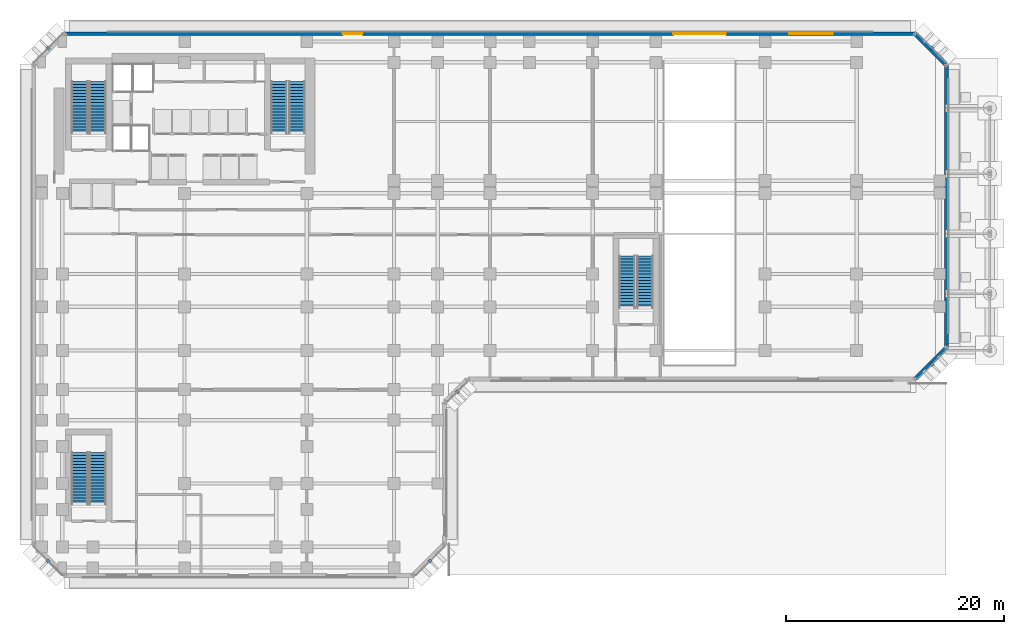
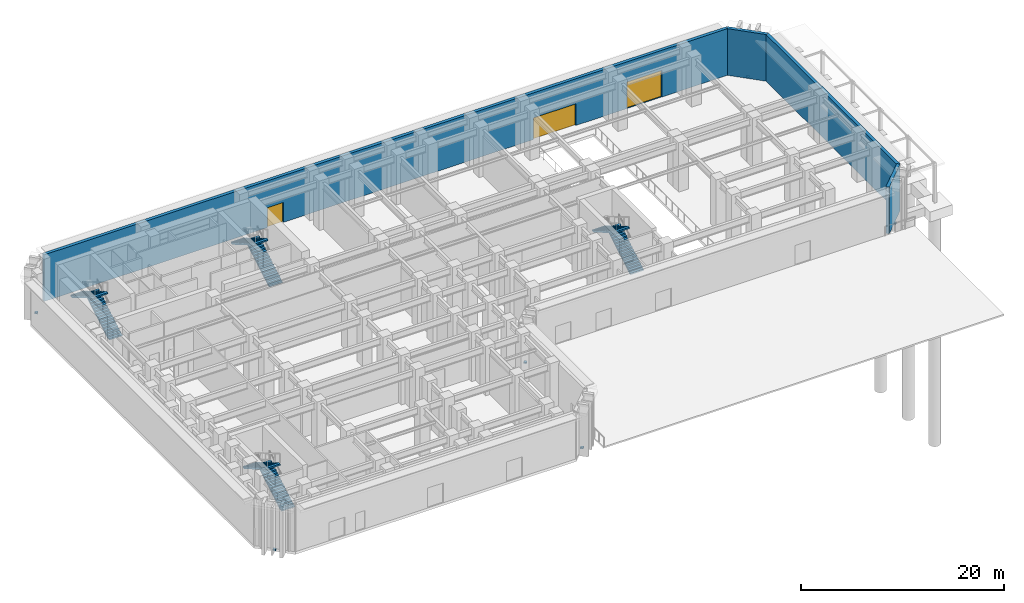
# One storey, part 10 of 18: 8 stair flights, 6 discrete accessories, 4 walls, 3 doors, 3 openings, 4 elements without a shape of their own.
"""IFC4 building model written with IfcOpenShell, lengths in metres."""

from ifc_helpers import new_model, si_unit, direction, frame, frame_2d, origin, origin_2d, place, context, subcontext, project, spatial, polyline, rectangle, outline, extrude, material, layer, layer_set, type_object, element, fill, aggregate, save


model = new_model("IFC4")

# Units and contexts
model_context = context("Model", 3, precision=1e-05, world=origin(), true_north=direction((0.0, 1.0)))
body_context = subcontext(model_context, "Body", "Model", "MODEL_VIEW")
ifc_project = project(units=[si_unit("LENGTHUNIT", "METRE"), si_unit("AREAUNIT", "SQUARE_METRE"), si_unit("VOLUMEUNIT", "CUBIC_METRE"), si_unit("PLANEANGLEUNIT", "RADIAN"), si_unit("MASSUNIT", "GRAM", prefix="KILO")], contexts=[model_context])

# Site, building, storey
site_placement = place(None, origin())
site = spatial("IfcSite", under=ifc_project, at=site_placement, CompositionType="ELEMENT")
building_placement = place(site_placement, origin())
building = spatial("IfcBuilding", under=site, at=building_placement, Name="Kefirva Bronze Tower", CompositionType="ELEMENT")
storey_placement = place(building_placement, origin())
storey = spatial("IfcBuildingStorey", under=building, at=storey_placement, Name="L00", CompositionType="ELEMENT", Elevation=0.0)

# Walls
ifc_material_1 = material(Name="Precast concrete C40/50", Category="concrete")
ifc_layer_1 = layer(ifc_material_1, 0.360107421875, Name="Precast concrete C40/50")
ifc_layer_set_1 = layer_set([ifc_layer_1], Name="Precast concrete C40/50")
wall_type = type_object("IfcWallType", Name="Precast Podium Facade Wall 360mm", PredefinedType="SOLIDWALL", material=ifc_layer_set_1)
wall_1_placement = place(storey_placement, frame((78.91162109375, 16.166259765625, 0.0), z_axis=(0.0, 0.0, 1.0), x_axis=(0.707106781187, 0.707106781187, 0.0)))
element("IfcWall", 1, at=wall_1_placement, inside=storey, type_object=wall_type, Name="L00 Exterior Facade Wall 6", PredefinedType="SOLIDWALL", context=body_context, shape_type="SweptSolid", body=[
    extrude(rectangle(XDim=4.132568359375, YDim=0.360107421875, at=frame_2d((2.06640625, 0.0))), origin(), (0.0, 0.0, 1.0), 5.6201171875),
])
wall_2_placement = place(storey_placement, frame((81.820068359375, 19.054931640625, 0.0), z_axis=(0.0, 0.0, 1.0), x_axis=(0.0, 1.0, 0.0)))
element("IfcWall", 2, at=wall_2_placement, inside=storey, type_object=wall_type, Name="L00 Exterior Facade Wall 7", PredefinedType="SOLIDWALL", context=body_context, shape_type="SweptSolid", body=[
    extrude(rectangle(XDim=25.89013671875, YDim=0.360107421875, at=frame_2d((12.945068359375, 0.0))), origin(), (0.0, 0.0, 1.0), 5.6201171875),
])
wall_3_placement = place(storey_placement, frame((81.833740234375, 44.91162109375, 0.0), z_axis=(0.0, 0.0, 1.0), x_axis=(-0.707106781187, 0.707106781187, 0.0)))
element("IfcWall", 3, at=wall_3_placement, inside=storey, type_object=wall_type, Name="L00 Exterior Facade Wall 8", PredefinedType="SOLIDWALL", context=body_context, shape_type="SweptSolid", body=[
    extrude(rectangle(XDim=4.132568359375, YDim=0.360107421875, at=frame_2d((2.06640625, 0.0))), origin(), (0.0, 0.0, 1.0), 5.6201171875),
])

# Wall, openings, doors
wall_4_placement = place(storey_placement, frame((78.945068359375, 47.820068359375, 0.0), z_axis=(0.0, 0.0, 1.0), x_axis=(-1.0, 0.0, 0.0)))
wall_4 = element("IfcWall", 4, at=wall_4_placement, inside=storey, type_object=wall_type, Name="L00 Exterior Facade Wall 9", PredefinedType="SOLIDWALL", context=body_context, shape_type="SweptSolid", body=[
    extrude(rectangle(XDim=77.89013671875, YDim=0.360107421875, at=frame_2d((38.945068359375, 0.0))), origin(), (0.0, 0.0, 1.0), 5.6201171875),
])
opening_1_placement = place(wall_4_placement, frame((22.14501953125, 0.0, 0.0), z_axis=(0.0, 0.0, 1.0), x_axis=(-1.0, 0.0, 0.0)))
opening_1 = element("IfcOpeningElement", 5, at=opening_1_placement, cuts=wall_4, Name="Opening VG-01", PredefinedType="OPENING", context=body_context, shape_type="SweptSolid", body=[
    extrude(rectangle(XDim=4.800048828125, YDim=2.60009765625, at=frame_2d((2.39990234375, 1.300048828125))), frame((0.0, 0.18994140625, 0.0), z_axis=(0.0, -1.0, 0.0), x_axis=(1.0, 0.0, 0.0)), (0.0, 0.0, 1.0), 0.380126953125),
])
opening_2_placement = place(wall_4_placement, frame((11.544921875, 0.0, 0.0), z_axis=(0.0, 0.0, 1.0), x_axis=(-1.0, 0.0, 0.0)))
opening_2 = element("IfcOpeningElement", 6, at=opening_2_placement, cuts=wall_4, Name="Opening VG-02", PredefinedType="OPENING", context=body_context, shape_type="SweptSolid", body=[
    extrude(rectangle(XDim=4.0, YDim=3.199951171875, at=frame_2d((2.0, 1.60009765625))), frame((0.0, 0.18994140625, 0.0), z_axis=(0.0, -1.0, 0.0), x_axis=(1.0, 0.0, 0.0)), (0.0, 0.0, 1.0), 0.380126953125),
])
opening_3_placement = place(wall_4_placement, frame((52.445068359375, 0.0, 0.0), z_axis=(0.0, 0.0, 1.0), x_axis=(-1.0, 0.0, 0.0)))
opening_3 = element("IfcOpeningElement", 7, at=opening_3_placement, cuts=wall_4, Name="Opening D-EX1", PredefinedType="OPENING", context=body_context, shape_type="SweptSolid", body=[
    extrude(rectangle(XDim=1.800048828125, YDim=2.39990234375, at=frame_2d((0.89990234375, 1.199951171875))), frame((0.0, 0.18994140625, 0.0), z_axis=(0.0, -1.0, 0.0), x_axis=(1.0, 0.0, 0.0)), (0.0, 0.0, 1.0), 0.380126953125),
])
ifc_material_2 = material(Name="Bronze anodised aluminium", Category="aluminium")
door_type_1 = type_object("IfcDoorType", Name="Exterior Car Park Roller Gate 4800x2600", OperationType="SLIDING_TO_LEFT", PredefinedType="GATE", material=ifc_material_2)
door_1_placement = place(opening_1_placement, origin())
door_1 = element("IfcDoor", 8, at=door_1_placement, inside=storey, type_object=door_type_1, Name="L00 Car Park Ramp Exit Roller Gate", OperationType="SLIDING_TO_LEFT", OverallHeight=2.60009765625, OverallWidth=4.800048828125, PredefinedType="GATE", context=body_context, shape_type="SweptSolid", body=[
    extrude(rectangle(XDim=4.800048828125, YDim=2.60009765625, at=frame_2d((2.39990234375, 1.300048828125))), frame((0.0, 0.02490234375, 0.0), z_axis=(0.0, -1.0, 0.0), x_axis=(1.0, 0.0, 0.0)), (0.0, 0.0, 1.0), 0.050048828125),
])
fill(opening_1, door_1)
door_type_2 = type_object("IfcDoorType", Name="Exterior Plaza Double Entrance Door 1800x2400", OperationType="DOUBLE_DOOR_SINGLE_SWING", PredefinedType="DOOR", material=ifc_material_2)
door_2_placement = place(opening_3_placement, origin())
door_2 = element("IfcDoor", 9, at=door_2_placement, inside=storey, type_object=door_type_2, Name="L00 Lookout Shuttle Street Entrance", OperationType="DOUBLE_DOOR_SINGLE_SWING", OverallHeight=2.39990234375, OverallWidth=1.800048828125, PredefinedType="DOOR", context=body_context, shape_type="SweptSolid", body=[
    extrude(rectangle(XDim=1.800048828125, YDim=2.39990234375, at=frame_2d((0.89990234375, 1.199951171875))), frame((0.0, 0.02490234375, 0.0), z_axis=(0.0, -1.0, 0.0), x_axis=(1.0, 0.0, 0.0)), (0.0, 0.0, 1.0), 0.050048828125),
])
fill(opening_3, door_2)
door_type_3 = type_object("IfcDoorType", Name="Service Loading Bay Gate 4000x3200", OperationType="SLIDING_TO_RIGHT", PredefinedType="GATE", material=ifc_material_2)
door_3_placement = place(opening_2_placement, origin())
door_3 = element("IfcDoor", 10, at=door_3_placement, inside=storey, type_object=door_type_3, Name="L00 Service Loading Bay Gate", OperationType="SLIDING_TO_RIGHT", OverallHeight=3.199951171875, OverallWidth=4.0, PredefinedType="GATE", context=body_context, shape_type="SweptSolid", body=[
    extrude(rectangle(XDim=4.0, YDim=3.199951171875, at=frame_2d((2.0, 1.60009765625))), frame((0.0, 0.02490234375, 0.0), z_axis=(0.0, -1.0, 0.0), x_axis=(1.0, 0.0, 0.0)), (0.0, 0.0, 1.0), 0.050048828125),
])
fill(opening_2, door_3)

# Stair, stair flights
ifc_material_3 = material(Name="Concrete C40/50", Category="concrete")
stair_type = type_object("IfcStairType", Name="RC Dogleg Protected Stair 36R", PredefinedType="HALF_TURN_STAIR", material=ifc_material_3)
stair_1_placement = place(storey_placement, origin())
stair_1 = element("IfcStair", 11, at=stair_1_placement, inside=storey, type_object=stair_type, Name="L00 Protected Exit Stair 1", PredefinedType="HALF_TURN_STAIR")
stair_flight_type = type_object("IfcStairFlightType", Name="RC Straight Stair Flight 36R", PredefinedType="STRAIGHT", material=ifc_material_3)
stair_flight_1_placement = place(storey_placement, frame((4.050048828125, 38.699951171875, 0.0), z_axis=(0.0, 0.0, 1.0), x_axis=(0.0, 1.0, 0.0)))
stair_flight_1 = element("IfcStairFlight", 12, at=stair_flight_1_placement, type_object=stair_flight_type, Name="ST-1 flight 1", NumberOfRisers=18, NumberOfTreads=17, PredefinedType="STRAIGHT", RiserHeight=0.165, TreadLength=0.28, context=body_context, shape_type="SweptSolid", body=[
    extrude(outline(polyline([(0.0, 0.0), (0.0, 0.1650390625), (0.280029296875, 0.1650390625), (0.280029296875, 0.330078125), (0.56005859375, 0.330078125), (0.56005859375, 0.4951171875), (0.840087890625, 0.4951171875), (0.840087890625, 0.659912109375), (1.1201171875, 0.659912109375), (1.1201171875, 0.824951171875), (1.39990234375, 0.824951171875), (1.39990234375, 0.989990234375), (1.679931640625, 0.989990234375), (1.679931640625, 1.155029296875), (1.9599609375, 1.155029296875), (1.9599609375, 1.320068359375), (2.239990234375, 1.320068359375), (2.239990234375, 1.485107421875), (2.52001953125, 1.485107421875), (2.52001953125, 1.64990234375), (2.800048828125, 1.64990234375), (2.800048828125, 1.81494140625), (3.080078125, 1.81494140625), (3.080078125, 1.97998046875), (3.360107421875, 1.97998046875), (3.360107421875, 2.14501953125), (3.639892578125, 2.14501953125), (3.639892578125, 2.31005859375), (3.919921875, 2.31005859375), (3.919921875, 2.47509765625), (4.199951171875, 2.47509765625), (4.199951171875, 2.639892578125), (4.47998046875, 2.639892578125), (4.47998046875, 2.804931640625), (4.760009765625, 2.804931640625), (4.760009765625, 2.969970703125), (4.760009765625, 2.631103515625), (0.295166015625, 0.0), (0.0, 0.0)])), frame((0.0, 0.75, 0.0), z_axis=(0.0, -1.0, 0.0), x_axis=(1.0, 0.0, 0.0)), (0.0, 0.0, 1.0), 1.5),
])
stair_flight_2_placement = place(storey_placement, frame((2.39990234375, 43.4599609375, 2.969970703125), z_axis=(0.0, 0.0, 1.0), x_axis=(0.0, -1.0, 0.0)))
stair_flight_2 = element("IfcStairFlight", 13, at=stair_flight_2_placement, type_object=stair_flight_type, Name="ST-1 flight 2", NumberOfRisers=18, NumberOfTreads=17, PredefinedType="STRAIGHT", RiserHeight=0.165, TreadLength=0.28, context=body_context, shape_type="SweptSolid", body=[
    extrude(outline(polyline([(0.0, 0.0), (0.0, 0.1650390625), (0.280029296875, 0.1650390625), (0.280029296875, 0.330078125), (0.56005859375, 0.330078125), (0.56005859375, 0.4951171875), (0.840087890625, 0.4951171875), (0.840087890625, 0.659912109375), (1.1201171875, 0.659912109375), (1.1201171875, 0.824951171875), (1.39990234375, 0.824951171875), (1.39990234375, 0.989990234375), (1.679931640625, 0.989990234375), (1.679931640625, 1.155029296875), (1.9599609375, 1.155029296875), (1.9599609375, 1.320068359375), (2.239990234375, 1.320068359375), (2.239990234375, 1.485107421875), (2.52001953125, 1.485107421875), (2.52001953125, 1.64990234375), (2.800048828125, 1.64990234375), (2.800048828125, 1.81494140625), (3.080078125, 1.81494140625), (3.080078125, 1.97998046875), (3.360107421875, 1.97998046875), (3.360107421875, 2.14501953125), (3.639892578125, 2.14501953125), (3.639892578125, 2.31005859375), (3.919921875, 2.31005859375), (3.919921875, 2.47509765625), (4.199951171875, 2.47509765625), (4.199951171875, 2.639892578125), (4.47998046875, 2.639892578125), (4.47998046875, 2.804931640625), (4.760009765625, 2.804931640625), (4.760009765625, 2.969970703125), (4.760009765625, 2.631103515625), (0.295166015625, 0.0), (0.0, 0.0)])), frame((0.0, 0.75, 0.0), z_axis=(0.0, -1.0, 0.0), x_axis=(1.0, 0.0, 0.0)), (0.0, 0.0, 1.0), 1.5),
])
aggregate(stair_1, [stair_flight_1, stair_flight_2])

stair_2_placement = place(storey_placement, origin())
stair_2 = element("IfcStair", 14, at=stair_2_placement, inside=storey, type_object=stair_type, Name="L00 Protected Exit Stair 2", PredefinedType="HALF_TURN_STAIR")
stair_flight_3_placement = place(storey_placement, frame((22.300048828125, 38.699951171875, 0.0), z_axis=(0.0, 0.0, 1.0), x_axis=(0.0, 1.0, 0.0)))
stair_flight_3 = element("IfcStairFlight", 15, at=stair_flight_3_placement, type_object=stair_flight_type, Name="ST-2 flight 1", NumberOfRisers=18, NumberOfTreads=17, PredefinedType="STRAIGHT", RiserHeight=0.165, TreadLength=0.28, context=body_context, shape_type="SweptSolid", body=[
    extrude(outline(polyline([(0.0, 0.0), (0.0, 0.1650390625), (0.280029296875, 0.1650390625), (0.280029296875, 0.330078125), (0.56005859375, 0.330078125), (0.56005859375, 0.4951171875), (0.840087890625, 0.4951171875), (0.840087890625, 0.659912109375), (1.1201171875, 0.659912109375), (1.1201171875, 0.824951171875), (1.39990234375, 0.824951171875), (1.39990234375, 0.989990234375), (1.679931640625, 0.989990234375), (1.679931640625, 1.155029296875), (1.9599609375, 1.155029296875), (1.9599609375, 1.320068359375), (2.239990234375, 1.320068359375), (2.239990234375, 1.485107421875), (2.52001953125, 1.485107421875), (2.52001953125, 1.64990234375), (2.800048828125, 1.64990234375), (2.800048828125, 1.81494140625), (3.080078125, 1.81494140625), (3.080078125, 1.97998046875), (3.360107421875, 1.97998046875), (3.360107421875, 2.14501953125), (3.639892578125, 2.14501953125), (3.639892578125, 2.31005859375), (3.919921875, 2.31005859375), (3.919921875, 2.47509765625), (4.199951171875, 2.47509765625), (4.199951171875, 2.639892578125), (4.47998046875, 2.639892578125), (4.47998046875, 2.804931640625), (4.760009765625, 2.804931640625), (4.760009765625, 2.969970703125), (4.760009765625, 2.631103515625), (0.295166015625, 0.0), (0.0, 0.0)])), frame((0.0, 0.75, 0.0), z_axis=(0.0, -1.0, 0.0), x_axis=(1.0, 0.0, 0.0)), (0.0, 0.0, 1.0), 1.5),
])
stair_flight_4_placement = place(storey_placement, frame((20.64990234375, 43.4599609375, 2.969970703125), z_axis=(0.0, 0.0, 1.0), x_axis=(0.0, -1.0, 0.0)))
stair_flight_4 = element("IfcStairFlight", 16, at=stair_flight_4_placement, type_object=stair_flight_type, Name="ST-2 flight 2", NumberOfRisers=18, NumberOfTreads=17, PredefinedType="STRAIGHT", RiserHeight=0.165, TreadLength=0.28, context=body_context, shape_type="SweptSolid", body=[
    extrude(outline(polyline([(0.0, 0.0), (0.0, 0.1650390625), (0.280029296875, 0.1650390625), (0.280029296875, 0.330078125), (0.56005859375, 0.330078125), (0.56005859375, 0.4951171875), (0.840087890625, 0.4951171875), (0.840087890625, 0.659912109375), (1.1201171875, 0.659912109375), (1.1201171875, 0.824951171875), (1.39990234375, 0.824951171875), (1.39990234375, 0.989990234375), (1.679931640625, 0.989990234375), (1.679931640625, 1.155029296875), (1.9599609375, 1.155029296875), (1.9599609375, 1.320068359375), (2.239990234375, 1.320068359375), (2.239990234375, 1.485107421875), (2.52001953125, 1.485107421875), (2.52001953125, 1.64990234375), (2.800048828125, 1.64990234375), (2.800048828125, 1.81494140625), (3.080078125, 1.81494140625), (3.080078125, 1.97998046875), (3.360107421875, 1.97998046875), (3.360107421875, 2.14501953125), (3.639892578125, 2.14501953125), (3.639892578125, 2.31005859375), (3.919921875, 2.31005859375), (3.919921875, 2.47509765625), (4.199951171875, 2.47509765625), (4.199951171875, 2.639892578125), (4.47998046875, 2.639892578125), (4.47998046875, 2.804931640625), (4.760009765625, 2.804931640625), (4.760009765625, 2.969970703125), (4.760009765625, 2.631103515625), (0.295166015625, 0.0), (0.0, 0.0)])), frame((0.0, 0.75, 0.0), z_axis=(0.0, -1.0, 0.0), x_axis=(1.0, 0.0, 0.0)), (0.0, 0.0, 1.0), 1.5),
])
aggregate(stair_2, [stair_flight_3, stair_flight_4])

stair_3_placement = place(storey_placement, origin())
stair_3 = element("IfcStair", 17, at=stair_3_placement, inside=storey, type_object=stair_type, Name="L00 Podium Exit Stair 3", PredefinedType="HALF_TURN_STAIR")
stair_flight_5_placement = place(storey_placement, frame((4.050048828125, 4.699951171875, 0.0), z_axis=(0.0, 0.0, 1.0), x_axis=(0.0, 1.0, 0.0)))
stair_flight_5 = element("IfcStairFlight", 18, at=stair_flight_5_placement, type_object=stair_flight_type, Name="ST-3 flight 1", NumberOfRisers=18, NumberOfTreads=17, PredefinedType="STRAIGHT", RiserHeight=0.165, TreadLength=0.28, context=body_context, shape_type="SweptSolid", body=[
    extrude(outline(polyline([(0.0, 0.0), (0.0, 0.1650390625), (0.280029296875, 0.1650390625), (0.280029296875, 0.330078125), (0.56005859375, 0.330078125), (0.56005859375, 0.4951171875), (0.840087890625, 0.4951171875), (0.840087890625, 0.659912109375), (1.1201171875, 0.659912109375), (1.1201171875, 0.824951171875), (1.39990234375, 0.824951171875), (1.39990234375, 0.989990234375), (1.679931640625, 0.989990234375), (1.679931640625, 1.155029296875), (1.9599609375, 1.155029296875), (1.9599609375, 1.320068359375), (2.239990234375, 1.320068359375), (2.239990234375, 1.485107421875), (2.52001953125, 1.485107421875), (2.52001953125, 1.64990234375), (2.800048828125, 1.64990234375), (2.800048828125, 1.81494140625), (3.080078125, 1.81494140625), (3.080078125, 1.97998046875), (3.360107421875, 1.97998046875), (3.360107421875, 2.14501953125), (3.639892578125, 2.14501953125), (3.639892578125, 2.31005859375), (3.919921875, 2.31005859375), (3.919921875, 2.47509765625), (4.199951171875, 2.47509765625), (4.199951171875, 2.639892578125), (4.47998046875, 2.639892578125), (4.47998046875, 2.804931640625), (4.760009765625, 2.804931640625), (4.760009765625, 2.969970703125), (4.760009765625, 2.631103515625), (0.295166015625, 0.0), (0.0, 0.0)])), frame((0.0, 0.75, 0.0), z_axis=(0.0, -1.0, 0.0), x_axis=(1.0, 0.0, 0.0)), (0.0, 0.0, 1.0), 1.5),
])
stair_flight_6_placement = place(storey_placement, frame((2.39990234375, 9.4599609375, 2.969970703125), z_axis=(0.0, 0.0, 1.0), x_axis=(0.0, -1.0, 0.0)))
stair_flight_6 = element("IfcStairFlight", 19, at=stair_flight_6_placement, type_object=stair_flight_type, Name="ST-3 flight 2", NumberOfRisers=18, NumberOfTreads=17, PredefinedType="STRAIGHT", RiserHeight=0.165, TreadLength=0.28, context=body_context, shape_type="SweptSolid", body=[
    extrude(outline(polyline([(0.0, 0.0), (0.0, 0.1650390625), (0.280029296875, 0.1650390625), (0.280029296875, 0.330078125), (0.56005859375, 0.330078125), (0.56005859375, 0.4951171875), (0.840087890625, 0.4951171875), (0.840087890625, 0.659912109375), (1.1201171875, 0.659912109375), (1.1201171875, 0.824951171875), (1.39990234375, 0.824951171875), (1.39990234375, 0.989990234375), (1.679931640625, 0.989990234375), (1.679931640625, 1.155029296875), (1.9599609375, 1.155029296875), (1.9599609375, 1.320068359375), (2.239990234375, 1.320068359375), (2.239990234375, 1.485107421875), (2.52001953125, 1.485107421875), (2.52001953125, 1.64990234375), (2.800048828125, 1.64990234375), (2.800048828125, 1.81494140625), (3.080078125, 1.81494140625), (3.080078125, 1.97998046875), (3.360107421875, 1.97998046875), (3.360107421875, 2.14501953125), (3.639892578125, 2.14501953125), (3.639892578125, 2.31005859375), (3.919921875, 2.31005859375), (3.919921875, 2.47509765625), (4.199951171875, 2.47509765625), (4.199951171875, 2.639892578125), (4.47998046875, 2.639892578125), (4.47998046875, 2.804931640625), (4.760009765625, 2.804931640625), (4.760009765625, 2.969970703125), (4.760009765625, 2.631103515625), (0.295166015625, 0.0), (0.0, 0.0)])), frame((0.0, 0.75, 0.0), z_axis=(0.0, -1.0, 0.0), x_axis=(1.0, 0.0, 0.0)), (0.0, 0.0, 1.0), 1.5),
])
aggregate(stair_3, [stair_flight_5, stair_flight_6])

stair_4_placement = place(storey_placement, origin())
stair_4 = element("IfcStair", 20, at=stair_4_placement, inside=storey, type_object=stair_type, Name="L00 Podium Exit Stair 4", PredefinedType="HALF_TURN_STAIR")
stair_flight_7_placement = place(storey_placement, frame((54.199951171875, 22.699951171875, 0.0), z_axis=(0.0, 0.0, 1.0), x_axis=(0.0, 1.0, 0.0)))
stair_flight_7 = element("IfcStairFlight", 21, at=stair_flight_7_placement, type_object=stair_flight_type, Name="ST-4 flight 1", NumberOfRisers=18, NumberOfTreads=17, PredefinedType="STRAIGHT", RiserHeight=0.165, TreadLength=0.28, context=body_context, shape_type="SweptSolid", body=[
    extrude(outline(polyline([(0.0, 0.0), (0.0, 0.1650390625), (0.280029296875, 0.1650390625), (0.280029296875, 0.330078125), (0.56005859375, 0.330078125), (0.56005859375, 0.4951171875), (0.840087890625, 0.4951171875), (0.840087890625, 0.659912109375), (1.1201171875, 0.659912109375), (1.1201171875, 0.824951171875), (1.39990234375, 0.824951171875), (1.39990234375, 0.989990234375), (1.679931640625, 0.989990234375), (1.679931640625, 1.155029296875), (1.9599609375, 1.155029296875), (1.9599609375, 1.320068359375), (2.239990234375, 1.320068359375), (2.239990234375, 1.485107421875), (2.52001953125, 1.485107421875), (2.52001953125, 1.64990234375), (2.800048828125, 1.64990234375), (2.800048828125, 1.81494140625), (3.080078125, 1.81494140625), (3.080078125, 1.97998046875), (3.360107421875, 1.97998046875), (3.360107421875, 2.14501953125), (3.639892578125, 2.14501953125), (3.639892578125, 2.31005859375), (3.919921875, 2.31005859375), (3.919921875, 2.47509765625), (4.199951171875, 2.47509765625), (4.199951171875, 2.639892578125), (4.47998046875, 2.639892578125), (4.47998046875, 2.804931640625), (4.760009765625, 2.804931640625), (4.760009765625, 2.969970703125), (4.760009765625, 2.631103515625), (0.295166015625, 0.0), (0.0, 0.0)])), frame((0.0, 0.75, 0.0), z_axis=(0.0, -1.0, 0.0), x_axis=(1.0, 0.0, 0.0)), (0.0, 0.0, 1.0), 1.5),
])
stair_flight_8_placement = place(storey_placement, frame((52.550048828125, 27.4599609375, 2.969970703125), z_axis=(0.0, 0.0, 1.0), x_axis=(0.0, -1.0, 0.0)))
stair_flight_8 = element("IfcStairFlight", 22, at=stair_flight_8_placement, type_object=stair_flight_type, Name="ST-4 flight 2", NumberOfRisers=18, NumberOfTreads=17, PredefinedType="STRAIGHT", RiserHeight=0.165, TreadLength=0.28, context=body_context, shape_type="SweptSolid", body=[
    extrude(outline(polyline([(0.0, 0.0), (0.0, 0.1650390625), (0.280029296875, 0.1650390625), (0.280029296875, 0.330078125), (0.56005859375, 0.330078125), (0.56005859375, 0.4951171875), (0.840087890625, 0.4951171875), (0.840087890625, 0.659912109375), (1.1201171875, 0.659912109375), (1.1201171875, 0.824951171875), (1.39990234375, 0.824951171875), (1.39990234375, 0.989990234375), (1.679931640625, 0.989990234375), (1.679931640625, 1.155029296875), (1.9599609375, 1.155029296875), (1.9599609375, 1.320068359375), (2.239990234375, 1.320068359375), (2.239990234375, 1.485107421875), (2.52001953125, 1.485107421875), (2.52001953125, 1.64990234375), (2.800048828125, 1.64990234375), (2.800048828125, 1.81494140625), (3.080078125, 1.81494140625), (3.080078125, 1.97998046875), (3.360107421875, 1.97998046875), (3.360107421875, 2.14501953125), (3.639892578125, 2.14501953125), (3.639892578125, 2.31005859375), (3.919921875, 2.31005859375), (3.919921875, 2.47509765625), (4.199951171875, 2.47509765625), (4.199951171875, 2.639892578125), (4.47998046875, 2.639892578125), (4.47998046875, 2.804931640625), (4.760009765625, 2.804931640625), (4.760009765625, 2.969970703125), (4.760009765625, 2.631103515625), (0.295166015625, 0.0), (0.0, 0.0)])), frame((0.0, 0.75, 0.0), z_axis=(0.0, -1.0, 0.0), x_axis=(1.0, 0.0, 0.0)), (0.0, 0.0, 1.0), 1.5),
])
aggregate(stair_4, [stair_flight_7, stair_flight_8])

# Discrete accessories
ifc_material_4 = material(Name="Stainless steel 316", Category="steel")
ifc_layer_2 = layer(ifc_material_4, 0.159912109375, Name="Stainless steel 316")
ifc_layer_set_2 = layer_set([ifc_layer_2], Name="Stainless steel 316")
discrete_accessory_type = type_object("IfcDiscreteAccessoryType", Name="Stainless Facade Outrigger Bracket", PredefinedType="BRACKET", material=ifc_layer_set_2)
for number, where, z_axis, x_axis, name in (
    (23, (34.5, -0.5, -0.16015625), (0.0, 0.0, 1.0), (0.707106781187, 0.707106781187, 0.0), "L00 Corner Fin Outrigger Bracket 2"),
    (24, (37.0, 15.0, -0.16015625), (0.0, 0.0, 1.0), (0.707106781187, 0.707106781187, 0.0), "L00 Corner Fin Outrigger Bracket 4"),
    (25, (80.5, 17.5, -0.16015625), (0.0, 0.0, 1.0), (0.707106781187, 0.707106781187, 0.0), "L00 Corner Fin Outrigger Bracket 6"),
    (26, (80.5, 46.5, -0.16015625), (0.0, 0.0, 1.0), (-0.707106781187, 0.707106781187, 0.0), "L00 Corner Fin Outrigger Bracket 8"),
    (27, (-0.5, 46.5, -0.16015625), (0.0, 0.0, 1.0), (-0.707106781187, -0.707106781187, 0.0), "L00 Corner Fin Outrigger Bracket 10"),
    (28, (-0.5, -0.5, -0.16015625), (0.0, 0.0, 1.0), (0.707106781187, -0.707106781187, 0.0), "L00 Corner Fin Outrigger Bracket 12"),
):
    element("IfcDiscreteAccessory", number, at=place(storey_placement, frame(where, z_axis=z_axis, x_axis=x_axis)), inside=storey, type_object=discrete_accessory_type, Name=name, PredefinedType="BRACKET", context=body_context, shape_type="SweptSolid", body=[
        extrude(rectangle(XDim=0.300048828125, YDim=0.300048828125, at=origin_2d()), origin(), (0.0, 0.0, 1.0), 0.159912109375),
    ])

save(model, "model.ifc")
